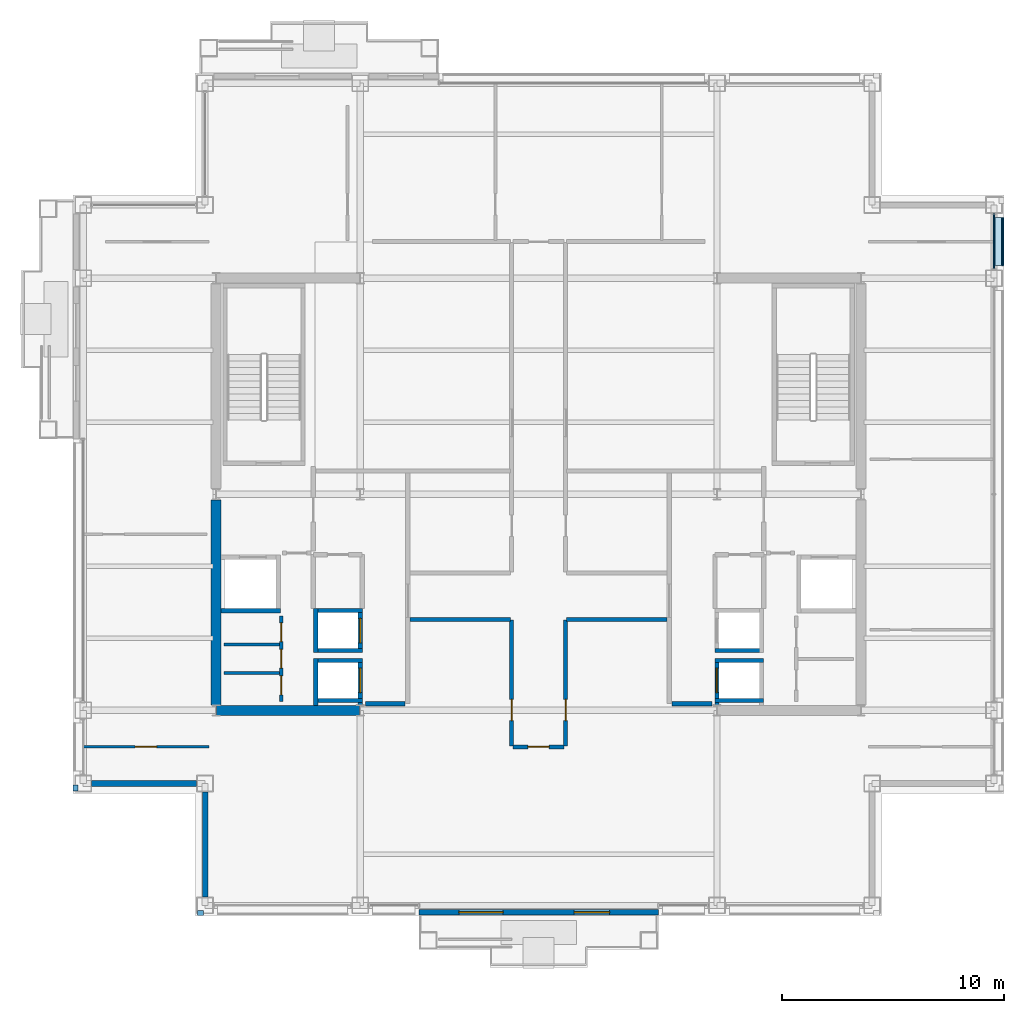
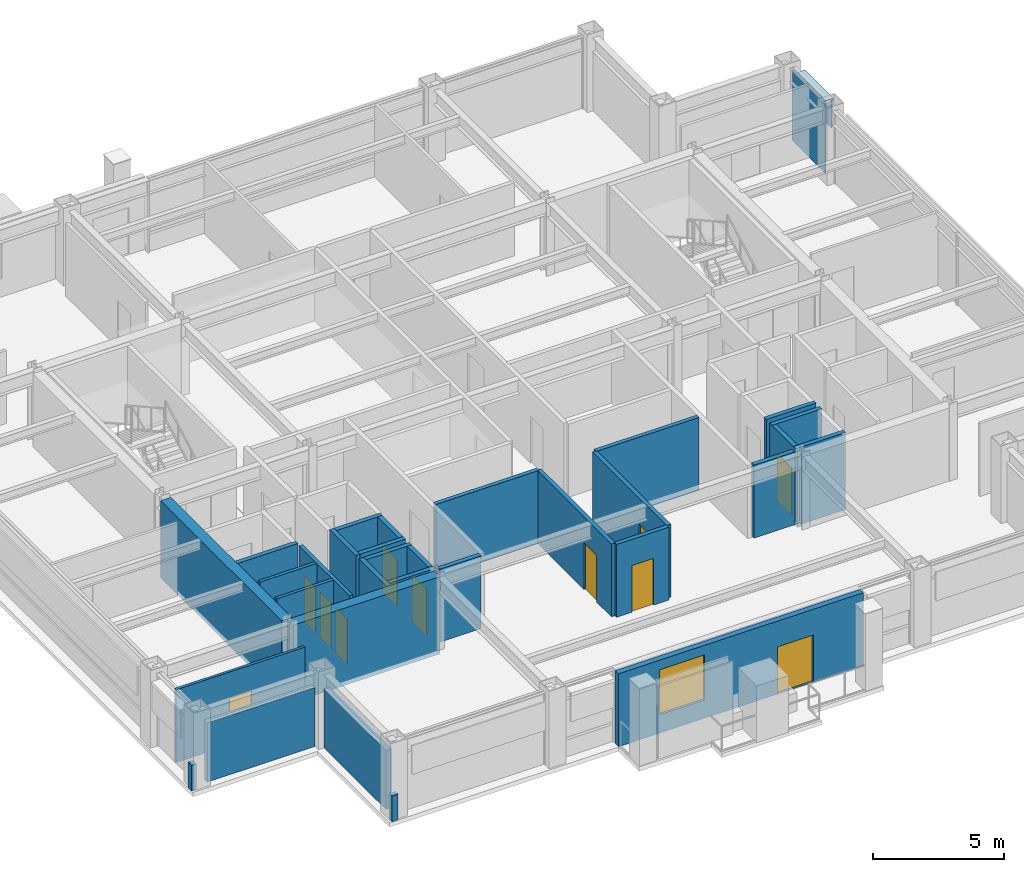
# One storey, part 24 of 30: 31 walls, 11 doors, 3 plates, 1 window, 12 openings, 1 element without a shape of its own.
"""IFC4 building model written with IfcOpenShell, lengths in metres."""

from ifc_helpers import new_model, si_unit, direction, frame, frame_2d, origin, origin_2d, place, context, subcontext, project, spatial, rectangle, extrude, material, layer, layer_set, type_object, element, fill, aggregate, save


model = new_model("IFC4")

# Units and contexts
model_context = context("Model", 3, precision=1e-05, world=origin(), true_north=direction((0.0, 1.0)))
body_context = subcontext(model_context, "Body", "Model", "MODEL_VIEW")
ifc_project = project(units=[si_unit("LENGTHUNIT", "METRE"), si_unit("AREAUNIT", "SQUARE_METRE"), si_unit("VOLUMEUNIT", "CUBIC_METRE"), si_unit("PLANEANGLEUNIT", "RADIAN"), si_unit("MASSUNIT", "GRAM", prefix="KILO")], contexts=[model_context])

# Site, building, storey
site_placement = place(None, origin())
site = spatial("IfcSite", under=ifc_project, at=site_placement, CompositionType="ELEMENT")
building_placement = place(site_placement, origin())
building = spatial("IfcBuilding", under=site, at=building_placement, Name="Brelmoor Portico Tower", CompositionType="ELEMENT")
storey_placement = place(building_placement, frame((0.0, 0.0, 169.5)))
storey = spatial("IfcBuildingStorey", under=building, at=storey_placement, Name="L44", CompositionType="ELEMENT", Elevation=169.5)

# Curtain wall, plate
ifc_material_1 = material(Name="Anodised Aluminium Alloy 6063-T6", Category="aluminium")
ifc_layer_1 = layer(ifc_material_1, 0.179931640625)
ifc_layer_set_1 = layer_set([ifc_layer_1], Name="Anodised Aluminium Alloy 6063-T6")
curtain_wall_type = type_object("IfcCurtainWallType", Name="CW-TOWER-Z3-XB", PredefinedType="NOTDEFINED", material=ifc_layer_set_1)
curtain_wall_placement = place(storey_placement, origin())
curtain_wall = element("IfcCurtainWall", 1, at=curtain_wall_placement, inside=storey, type_object=curtain_wall_type, Name="L44 Curtain Wall CW-L44-04-3", PredefinedType="NOTDEFINED")
ifc_material_2 = material(Name="Pale Champagne Anodised Aluminium Panel", Category="aluminium")
ifc_layer_2 = layer(ifc_material_2, 0.050048828125)
ifc_layer_set_2 = layer_set([ifc_layer_2], Name="Pale Champagne Anodised Aluminium Panel")
plate_type_1 = type_object("IfcPlateType", Name="PT-CW-SPANDREL", PredefinedType="SHEET", material=ifc_layer_set_2)
plate_1_placement = place(storey_placement, frame((20.550048828125, 11.39990234375, 0.0), z_axis=(0.0, 0.0, 1.0), x_axis=(0.0, 1.0, 0.0)))
plate_1 = element("IfcPlate", 2, at=plate_1_placement, type_object=plate_type_1, Name="CW-L44-04-3 Spandrel Panel 00", PredefinedType="SHEET", context=body_context, shape_type="SweptSolid", body=[
    extrude(rectangle(XDim=2.5, YDim=0.050048828125, at=origin_2d()), origin(), (0.0, 0.0, 1.0), 3.33740234375),
])
aggregate(curtain_wall, [plate_1])

# Plates
ifc_material_3 = material(Name="Powder-Coated Aluminium Shuttered Jalousie Louvre", Category="aluminium")
ifc_layer_3 = layer(ifc_material_3, 0.06005859375)
ifc_layer_set_3 = layer_set([ifc_layer_3], Name="Powder-Coated Aluminium Shuttered Jalousie Louvre")
plate_type_2 = type_object("IfcPlateType", Name="PT-JALOUSIE-SHUTTER", PredefinedType="SHEET", material=ifc_layer_set_3)
plate_2_placement = place(storey_placement, frame((20.929931640625, 11.39990234375, 1.8740234375), z_axis=(0.0, 0.0, 1.0), x_axis=(0.0, 1.0, 0.0)))
element("IfcPlate", 3, at=plate_2_placement, inside=storey, type_object=plate_type_2, Name="CW-L44-04-3 Perforated Jalousie Solar Screen", PredefinedType="SHEET", context=body_context, shape_type="SweptSolid", body=[
    extrude(rectangle(XDim=2.169921875, YDim=0.06494140625, at=origin_2d()), origin(), (0.0, 0.0, 1.0), 1.325927734375),
])
ifc_material_4 = material(Name="Pale Champagne Perforated Aluminium Solar Screen", Category="aluminium")
ifc_layer_4 = layer(ifc_material_4, 0.054931640625)
ifc_layer_set_4 = layer_set([ifc_layer_4], Name="Pale Champagne Perforated Aluminium Solar Screen")
plate_type_3 = type_object("IfcPlateType", Name="PT-SOLAR-LOUVRE", PredefinedType="SHEET", material=ifc_layer_set_4)
plate_3_placement = place(storey_placement, frame((20.760009765625, 11.39990234375, 3.08984375), z_axis=(0.0, 0.0, 1.0), x_axis=(0.0, 1.0, 0.0)))
element("IfcPlate", 4, at=plate_3_placement, inside=storey, type_object=plate_type_3, Name="CW-L44-04-3 Caribbean Brise-Soleil Solar Screen", PredefinedType="SHEET", context=body_context, shape_type="SweptSolid", body=[
    extrude(rectangle(XDim=2.169921875, YDim=0.4599609375, at=origin_2d()), origin(), (0.0, 0.0, 1.0), 0.139892578125),
])

# Walls
ifc_material_5 = material(Name="Concrete C50", Category="concrete")
ifc_layer_5 = layer(ifc_material_5, 0.449951171875)
ifc_layer_set_5 = layer_set([ifc_layer_5], Name="Concrete C50")
wall_type_1 = type_object("IfcWallType", Name="WL-CORE-450", PredefinedType="SHEAR", material=ifc_layer_set_5)
wall_1_placement = place(storey_placement, frame((-14.530029296875, -9.75, -0.199951171875), z_axis=(0.0, 0.0, 1.0), x_axis=(1.0, 0.0, 0.0)))
element("IfcWall", 5, at=wall_1_placement, inside=storey, type_object=wall_type_1, Name="L44 WC South Shear Wall", PredefinedType="SHEAR", context=body_context, shape_type="SweptSolid", body=[
    extrude(rectangle(XDim=6.4599609375, YDim=0.449951171875, at=frame_2d((3.22998046875, 0.0))), origin(), (0.0, 0.0, 1.0), 3.599853515625),
])
wall_2_placement = place(storey_placement, frame((-14.550048828125, -9.5, -0.199951171875), z_axis=(0.0, 0.0, 1.0), x_axis=(0.0, 1.0, 0.0)))
element("IfcWall", 6, at=wall_2_placement, inside=storey, type_object=wall_type_1, Name="L44 WC Outer South Shear Wall", PredefinedType="SHEAR", context=body_context, shape_type="SweptSolid", body=[
    extrude(rectangle(XDim=9.25, YDim=0.449951171875, at=frame_2d((4.625, 0.0))), origin(), (0.0, 0.0, 1.0), 3.599853515625),
])

# Wall, openings, door, window
ifc_material_6 = material(Name="Precast Concrete C40 Insulated Facade Wall", Category="concrete")
ifc_layer_6 = layer(ifc_material_6, 0.25)
ifc_layer_set_6 = layer_set([ifc_layer_6], Name="Precast Concrete C40 Insulated Facade Wall")
wall_type_2 = type_object("IfcWallType", Name="WL-EXT-250", PredefinedType="STANDARD", material=ifc_layer_set_6)
wall_3_placement = place(storey_placement, frame((-5.39990234375, -18.860107421875, 0.0), z_axis=(0.0, 0.0, 1.0), x_axis=(1.0, 0.0, 0.0)))
wall_3 = element("IfcWall", 7, at=wall_3_placement, inside=storey, type_object=wall_type_2, Name="L44 Loggia Threshold Wall S-1", PredefinedType="STANDARD", context=body_context, shape_type="SweptSolid", body=[
    extrude(rectangle(XDim=10.7998046875, YDim=0.25, at=frame_2d((5.39990234375, 0.0))), origin(), (0.0, 0.0, 1.0), 3.39990234375),
])
opening_1_placement = place(wall_3_placement, frame((7.0, 0.0, 0.0)))
opening_1 = element("IfcOpeningElement", 8, at=opening_1_placement, cuts=wall_3, Name="Opening D-TB1", PredefinedType="OPENING", context=body_context, shape_type="SweptSolid", body=[
    extrude(rectangle(XDim=1.60009765625, YDim=2.199951171875, at=frame_2d((0.800048828125, 1.10009765625))), frame((0.0, 0.135009765625, 0.0), z_axis=(0.0, -1.0, 0.0), x_axis=(1.0, 0.0, 0.0)), (0.0, 0.0, 1.0), 0.27001953125),
])
opening_2_placement = place(wall_3_placement, frame((1.800048828125, 0.0, 0.85009765625)))
opening_2 = element("IfcOpeningElement", 9, at=opening_2_placement, cuts=wall_3, Name="Opening W-03", PredefinedType="OPENING", context=body_context, shape_type="SweptSolid", body=[
    extrude(rectangle(XDim=2.0, YDim=2.10009765625, at=frame_2d((1.0, 1.050048828125))), frame((0.0, 0.135009765625, 0.0), z_axis=(0.0, -1.0, 0.0), x_axis=(1.0, 0.0, 0.0)), (0.0, 0.0, 1.0), 0.27001953125),
])
ifc_material_7 = material(Name="Double-Leaf Thermally Broken Terrace Door", Category="aluminium")
door_type_1 = type_object("IfcDoorType", Name="DR-BALCONY-1600", OperationType="NOTDEFINED", PredefinedType="DOOR", material=ifc_material_7)
door_1_placement = place(opening_1_placement, origin())
door_1 = element("IfcDoor", 10, at=door_1_placement, inside=storey, type_object=door_type_1, Name="D-1893 L44 Tree Balcony Double Door S", OperationType="DOUBLE_DOOR_SINGLE_SWING", OverallHeight=2.199951171875, OverallWidth=1.60009765625, PredefinedType="DOOR", context=body_context, shape_type="SweptSolid", body=[
    extrude(rectangle(XDim=1.60009765625, YDim=2.199951171875, at=frame_2d((0.800048828125, 1.10009765625))), frame((0.0, 0.02490234375, 0.0), z_axis=(0.0, -1.0, 0.0), x_axis=(1.0, 0.0, 0.0)), (0.0, 0.0, 1.0), 0.050048828125),
])
fill(opening_1, door_1)
ifc_material_8 = material(Name="Thermally Broken Aluminium Low-E Window", Category="aluminium")
window_type = type_object("IfcWindowType", Name="WN-LOGGIA-2000x2100", PartitioningType="SINGLE_PANEL", PredefinedType="WINDOW", material=ifc_material_8)
window_placement = place(opening_2_placement, origin())
window = element("IfcWindow", 11, at=window_placement, inside=storey, type_object=window_type, Name="L44 Loggia Window S", OverallHeight=2.10009765625, OverallWidth=2.0, PartitioningType="SINGLE_PANEL", PredefinedType="WINDOW", context=body_context, shape_type="SweptSolid", body=[
    extrude(rectangle(XDim=2.0, YDim=2.10009765625, at=frame_2d((1.0, 1.050048828125))), frame((0.0, 0.030029296875, 0.0), z_axis=(0.0, -1.0, 0.0), x_axis=(1.0, 0.0, 0.0)), (0.0, 0.0, 1.0), 0.06005859375),
])
fill(opening_2, window)

# Walls
for number, where, z_axis, x_axis, name in (
    (12, (-20.1650390625, -13.050048828125, 0.0), (0.0, 0.0, 1.0), (1.0, 0.0, 0.0), "L44 Corner Notch Facade Wall NSWH1"),
    (13, (-15.050048828125, -18.1650390625, 0.0), (0.0, 0.0, 1.0), (0.0, 1.0, 0.0), "L44 Corner Notch Facade Wall NSWV1"),
):
    element("IfcWall", number, at=place(storey_placement, frame(where, z_axis=z_axis, x_axis=x_axis)), inside=storey, type_object=wall_type_2, Name=name, PredefinedType="STANDARD", context=body_context, shape_type="SweptSolid", body=[
        extrude(rectangle(XDim=4.72998046875, YDim=0.25, at=frame_2d((2.364990234375, 0.0))), origin(), (0.0, 0.0, 1.0), 2.75),
    ])
ifc_material_9 = material(Name="Concrete C40 Parapet Upstand", Category="concrete")
ifc_layer_7 = layer(ifc_material_9, 0.219970703125)
ifc_layer_set_7 = layer_set([ifc_layer_7], Name="Concrete C40 Parapet Upstand")
wall_type_3 = type_object("IfcWallType", Name="WL-PARAPET-220", PredefinedType="PARAPET", material=ifc_layer_set_7)
for number, where, z_axis, x_axis, name in (
    (14, (-15.389892578125, -18.889892578125, 0.0), (0.0, 0.0, 1.0), (1.0, 0.0, 0.0), "L44 Chamfer Vertex Parapet Pier SW1"),
    (15, (-20.889892578125, -13.389892578125, 0.0), (0.0, 0.0, 1.0), (0.0, 1.0, 0.0), "L44 Chamfer Vertex Parapet Pier SW2"),
):
    element("IfcWall", number, at=place(storey_placement, frame(where, z_axis=z_axis, x_axis=x_axis)), inside=storey, type_object=wall_type_3, Name=name, PredefinedType="PARAPET", context=body_context, shape_type="SweptSolid", body=[
        extrude(rectangle(XDim=0.269775390625, YDim=0.219970703125, at=frame_2d((0.134765625, 0.0))), origin(), (0.0, 0.0, 1.0), 1.199951171875),
    ])

# Wall, opening, door
ifc_material_10 = material(Name="Lightweight Gypsum Office Partition", Category="gypsum")
ifc_layer_8 = layer(ifc_material_10, 0.1201171875)
ifc_layer_set_8 = layer_set([ifc_layer_8], Name="Lightweight Gypsum Office Partition")
wall_type_4 = type_object("IfcWallType", Name="WL-PART-120", PredefinedType="PARTITIONING", material=ifc_layer_set_8)
wall_4_placement = place(storey_placement, frame((-20.56005859375, -11.39990234375, 0.0), z_axis=(0.0, 0.0, 1.0), x_axis=(1.0, 0.0, 0.0)))
wall_4 = element("IfcWall", 16, at=wall_4_placement, inside=storey, type_object=wall_type_4, Name="L44 South Wing Closure WL", PredefinedType="PARTITIONING", context=body_context, shape_type="SweptSolid", body=[
    extrude(rectangle(XDim=5.68017578125, YDim=0.1201171875, at=frame_2d((2.840087890625, 0.0))), origin(), (0.0, 0.0, 1.0), 3.39990234375),
])
opening_3_placement = place(wall_4_placement, frame((2.360107421875, 0.0, 0.0)))
opening_3 = element("IfcOpeningElement", 17, at=opening_3_placement, cuts=wall_4, Name="Opening D-IN2", PredefinedType="OPENING", context=body_context, shape_type="SweptSolid", body=[
    extrude(rectangle(XDim=0.9599609375, YDim=2.179931640625, at=frame_2d((0.47998046875, 1.08984375))), frame((0.0, 0.070068359375, 0.0), z_axis=(0.0, -1.0, 0.0), x_axis=(1.0, 0.0, 0.0)), (0.0, 0.0, 1.0), 0.14013671875),
])
ifc_material_11 = material(Name="Lacquered Timber Suite Door", Category="wood")
door_type_2 = type_object("IfcDoorType", Name="DR-INT-950", OperationType="NOTDEFINED", PredefinedType="DOOR", material=ifc_material_11)
door_2_placement = place(opening_3_placement, origin())
door_2 = element("IfcDoor", 18, at=door_2_placement, inside=storey, type_object=door_type_2, Name="D-1891 L44 WL Wing South Suite Door", OperationType="SINGLE_SWING_RIGHT", OverallHeight=2.179931640625, OverallWidth=0.9599609375, PredefinedType="DOOR", context=body_context, shape_type="SweptSolid", body=[
    extrude(rectangle(XDim=0.9599609375, YDim=2.179931640625, at=frame_2d((0.47998046875, 1.08984375))), frame((0.0, 0.02490234375, 0.0), z_axis=(0.0, -1.0, 0.0), x_axis=(1.0, 0.0, 0.0)), (0.0, 0.0, 1.0), 0.050048828125),
])
fill(opening_3, door_2)

# Walls
ifc_material_12 = material(Name="Insulated Stud Suite Partition", Category="gypsum")
ifc_layer_9 = layer(ifc_material_12, 0.139892578125)
ifc_layer_set_9 = layer_set([ifc_layer_9], Name="Insulated Stud Suite Partition")
wall_type_5 = type_object("IfcWallType", Name="WL-PART-140", PredefinedType="PARTITIONING", material=ifc_layer_set_9)
for number, where, z_axis, x_axis, name in (
    (19, (-11.699951171875, -8.066650390625, 0.0), (0.0, 0.0, 1.0), (-1.0, 0.0, 0.0), "L44 W Core WC Divider 1"),
    (20, (-11.699951171875, -6.783203125, 0.0), (0.0, 0.0, 1.0), (-1.0, 0.0, 0.0), "L44 W Core WC Divider 2"),
):
    element("IfcWall", number, at=place(storey_placement, frame(where, z_axis=z_axis, x_axis=x_axis)), inside=storey, type_object=wall_type_5, Name=name, PredefinedType="PARTITIONING", context=body_context, shape_type="SweptSolid", body=[
        extrude(rectangle(XDim=2.5, YDim=0.139892578125, at=frame_2d((1.25, 0.0))), origin(), (0.0, 0.0, 1.0), 3.39990234375),
    ])

# Wall, openings, doors
ifc_material_13 = material(Name="Twin-Frame Acoustic Partition", Category="gypsum")
ifc_layer_10 = layer(ifc_material_13, 0.159912109375)
ifc_layer_set_10 = layer_set([ifc_layer_10], Name="Twin-Frame Acoustic Partition")
wall_type_6 = type_object("IfcWallType", Name="WL-PART-160", PredefinedType="PARTITIONING", material=ifc_layer_set_10)
wall_5_placement = place(storey_placement, frame((-11.6201171875, -9.35009765625, 0.0), z_axis=(0.0, 0.0, 1.0), x_axis=(0.0, 1.0, 0.0)))
wall_5 = element("IfcWall", 21, at=wall_5_placement, inside=storey, type_object=wall_type_6, Name="L44 W Core Service Front Wall", PredefinedType="PARTITIONING", context=body_context, shape_type="SweptSolid", body=[
    extrude(rectangle(XDim=3.85009765625, YDim=0.159912109375, at=frame_2d((1.925048828125, 0.0))), origin(), (0.0, 0.0, 1.0), 3.39990234375),
])
opening_4_placement = place(wall_5_placement, frame((0.300048828125, 0.0, 0.0)))
opening_4 = element("IfcOpeningElement", 22, at=opening_4_placement, cuts=wall_5, Name="Opening D-WC1", PredefinedType="OPENING", context=body_context, shape_type="SweptSolid", body=[
    extrude(rectangle(XDim=0.85009765625, YDim=2.1201171875, at=frame_2d((0.425048828125, 1.06005859375))), frame((0.0, 0.08984375, 0.0), z_axis=(0.0, -1.0, 0.0), x_axis=(1.0, 0.0, 0.0)), (0.0, 0.0, 1.0), 0.179931640625),
])
opening_5_placement = place(wall_5_placement, frame((1.5, 0.0, 0.0)))
opening_5 = element("IfcOpeningElement", 23, at=opening_5_placement, cuts=wall_5, Name="Opening D-WC1", PredefinedType="OPENING", context=body_context, shape_type="SweptSolid", body=[
    extrude(rectangle(XDim=0.85009765625, YDim=2.1201171875, at=frame_2d((0.425048828125, 1.06005859375))), frame((0.0, 0.08984375, 0.0), z_axis=(0.0, -1.0, 0.0), x_axis=(1.0, 0.0, 0.0)), (0.0, 0.0, 1.0), 0.179931640625),
])
opening_6_placement = place(wall_5_placement, frame((2.699951171875, 0.0, 0.0)))
opening_6 = element("IfcOpeningElement", 24, at=opening_6_placement, cuts=wall_5, Name="Opening D-WC1", PredefinedType="OPENING", context=body_context, shape_type="SweptSolid", body=[
    extrude(rectangle(XDim=0.85009765625, YDim=2.1201171875, at=frame_2d((0.425048828125, 1.06005859375))), frame((0.0, 0.08984375, 0.0), z_axis=(0.0, -1.0, 0.0), x_axis=(1.0, 0.0, 0.0)), (0.0, 0.0, 1.0), 0.179931640625),
])
ifc_material_14 = material(Name="Moisture-Resistant Laminate WC Door", Category="timber")
door_type_3 = type_object("IfcDoorType", Name="DR-WC-850", OperationType="NOTDEFINED", PredefinedType="DOOR", material=ifc_material_14)
door_3_placement = place(opening_4_placement, origin())
door_3 = element("IfcDoor", 25, at=door_3_placement, inside=storey, type_object=door_type_3, Name="D-1872 L44 W Accessible WC Door", OperationType="SINGLE_SWING_LEFT", OverallHeight=2.1201171875, OverallWidth=0.85009765625, PredefinedType="DOOR", context=body_context, shape_type="SweptSolid", body=[
    extrude(rectangle(XDim=0.85009765625, YDim=2.1201171875, at=frame_2d((0.425048828125, 1.06005859375))), frame((0.0, 0.02490234375, 0.0), z_axis=(0.0, -1.0, 0.0), x_axis=(1.0, 0.0, 0.0)), (0.0, 0.0, 1.0), 0.050048828125),
])
fill(opening_4, door_3)
door_4_placement = place(opening_5_placement, origin())
door_4 = element("IfcDoor", 26, at=door_4_placement, inside=storey, type_object=door_type_3, Name="D-1873 L44 W Staff WC Door", OperationType="SINGLE_SWING_RIGHT", OverallHeight=2.1201171875, OverallWidth=0.85009765625, PredefinedType="DOOR", context=body_context, shape_type="SweptSolid", body=[
    extrude(rectangle(XDim=0.85009765625, YDim=2.1201171875, at=frame_2d((0.425048828125, 1.06005859375))), frame((0.0, 0.02490234375, 0.0), z_axis=(0.0, -1.0, 0.0), x_axis=(1.0, 0.0, 0.0)), (0.0, 0.0, 1.0), 0.050048828125),
])
fill(opening_5, door_4)
door_5_placement = place(opening_6_placement, origin())
door_5 = element("IfcDoor", 27, at=door_5_placement, inside=storey, type_object=door_type_3, Name="D-1874 L44 W Cleaner Store Door", OperationType="SINGLE_SWING_LEFT", OverallHeight=2.1201171875, OverallWidth=0.85009765625, PredefinedType="DOOR", context=body_context, shape_type="SweptSolid", body=[
    extrude(rectangle(XDim=0.85009765625, YDim=2.1201171875, at=frame_2d((0.425048828125, 1.06005859375))), frame((0.0, 0.02490234375, 0.0), z_axis=(0.0, -1.0, 0.0), x_axis=(1.0, 0.0, 0.0)), (0.0, 0.0, 1.0), 0.050048828125),
])
fill(opening_6, door_5)

# Wall, opening, door
ifc_material_15 = material(Name="Acoustic Corridor Fire Partition", Category="gypsum")
ifc_layer_11 = layer(ifc_material_15, 0.179931640625)
ifc_layer_set_11 = layer_set([ifc_layer_11], Name="Acoustic Corridor Fire Partition")
wall_type_7 = type_object("IfcWallType", Name="WL-PART-180", PredefinedType="PARTITIONING", material=ifc_layer_set_11)
wall_6_placement = place(storey_placement, frame((-1.219970703125, -11.360107421875, 0.0), z_axis=(0.0, 0.0, 1.0), x_axis=(0.0, 1.0, 0.0)))
wall_6 = element("IfcWall", 28, at=wall_6_placement, inside=storey, type_object=wall_type_7, Name="L44 South Cross West Wall", PredefinedType="PARTITIONING", context=body_context, shape_type="SweptSolid", body=[
    extrude(rectangle(XDim=5.68017578125, YDim=0.179931640625, at=frame_2d((2.840087890625, 0.0))), origin(), (0.0, 0.0, 1.0), 3.39990234375),
])
opening_7_placement = place(wall_6_placement, frame((1.14990234375, 0.0, 0.0)))
opening_7 = element("IfcOpeningElement", 29, at=opening_7_placement, cuts=wall_6, Name="Opening D-IN2", PredefinedType="OPENING", context=body_context, shape_type="SweptSolid", body=[
    extrude(rectangle(XDim=0.9599609375, YDim=2.179931640625, at=frame_2d((0.47998046875, 1.08984375))), frame((0.0, 0.099853515625, 0.0), z_axis=(0.0, -1.0, 0.0), x_axis=(1.0, 0.0, 0.0)), (0.0, 0.0, 1.0), 0.199951171875),
])
door_6_placement = place(opening_7_placement, origin())
door_6 = element("IfcDoor", 30, at=door_6_placement, inside=storey, type_object=door_type_2, Name="D-1865 L44 South-West Archive Room Door", OperationType="SINGLE_SWING_LEFT", OverallHeight=2.179931640625, OverallWidth=0.9599609375, PredefinedType="DOOR", context=body_context, shape_type="SweptSolid", body=[
    extrude(rectangle(XDim=0.9599609375, YDim=2.179931640625, at=frame_2d((0.47998046875, 1.08984375))), frame((0.0, 0.02490234375, 0.0), z_axis=(0.0, -1.0, 0.0), x_axis=(1.0, 0.0, 0.0)), (0.0, 0.0, 1.0), 0.050048828125),
])
fill(opening_7, door_6)

wall_7_placement = place(storey_placement, frame((1.219970703125, -11.360107421875, 0.0), z_axis=(0.0, 0.0, 1.0), x_axis=(0.0, 1.0, 0.0)))
wall_7 = element("IfcWall", 31, at=wall_7_placement, inside=storey, type_object=wall_type_7, Name="L44 South Cross East Wall", PredefinedType="PARTITIONING", context=body_context, shape_type="SweptSolid", body=[
    extrude(rectangle(XDim=5.68017578125, YDim=0.179931640625, at=frame_2d((2.840087890625, 0.0))), origin(), (0.0, 0.0, 1.0), 3.39990234375),
])
opening_8_placement = place(wall_7_placement, frame((1.14990234375, 0.0, 0.0)))
opening_8 = element("IfcOpeningElement", 32, at=opening_8_placement, cuts=wall_7, Name="Opening D-IN2", PredefinedType="OPENING", context=body_context, shape_type="SweptSolid", body=[
    extrude(rectangle(XDim=0.9599609375, YDim=2.179931640625, at=frame_2d((0.47998046875, 1.08984375))), frame((0.0, 0.099853515625, 0.0), z_axis=(0.0, -1.0, 0.0), x_axis=(1.0, 0.0, 0.0)), (0.0, 0.0, 1.0), 0.199951171875),
])
door_7_placement = place(opening_8_placement, origin())
door_7 = element("IfcDoor", 33, at=door_7_placement, inside=storey, type_object=door_type_2, Name="D-1864 L44 South-East Partner Office Door", OperationType="SINGLE_SWING_RIGHT", OverallHeight=2.179931640625, OverallWidth=0.9599609375, PredefinedType="DOOR", context=body_context, shape_type="SweptSolid", body=[
    extrude(rectangle(XDim=0.9599609375, YDim=2.179931640625, at=frame_2d((0.47998046875, 1.08984375))), frame((0.0, 0.02490234375, 0.0), z_axis=(0.0, -1.0, 0.0), x_axis=(1.0, 0.0, 0.0)), (0.0, 0.0, 1.0), 0.050048828125),
])
fill(opening_8, door_7)

# Walls
for number, where, z_axis, x_axis, name in (
    (34, (-5.800048828125, -5.64990234375, 0.0), (0.0, 0.0, 1.0), (1.0, 0.0, 0.0), "L44 South-West Chamber Top Wall"),
    (35, (1.260009765625, -5.64990234375, 0.0), (0.0, 0.0, 1.0), (1.0, 0.0, 0.0), "L44 South-East Chamber Top Wall"),
):
    element("IfcWall", number, at=place(storey_placement, frame(where, z_axis=z_axis, x_axis=x_axis)), inside=storey, type_object=wall_type_7, Name=name, PredefinedType="PARTITIONING", context=body_context, shape_type="SweptSolid", body=[
        extrude(rectangle(XDim=4.5400390625, YDim=0.179931640625, at=frame_2d((2.27001953125, 0.0))), origin(), (0.0, 0.0, 1.0), 3.39990234375),
    ])

# Wall, opening, door
wall_8_placement = place(storey_placement, frame((-1.14990234375, -11.39990234375, 0.0), z_axis=(0.0, 0.0, 1.0), x_axis=(1.0, 0.0, 0.0)))
wall_8 = element("IfcWall", 36, at=wall_8_placement, inside=storey, type_object=wall_type_7, Name="L44 South Corridor Partition", PredefinedType="PARTITIONING", context=body_context, shape_type="SweptSolid", body=[
    extrude(rectangle(XDim=2.2998046875, YDim=0.179931640625, at=frame_2d((1.14990234375, 0.0))), origin(), (0.0, 0.0, 1.0), 3.39990234375),
])
opening_9_placement = place(wall_8_placement, frame((0.669921875, 0.0, 0.0)))
opening_9 = element("IfcOpeningElement", 37, at=opening_9_placement, cuts=wall_8, Name="Opening D-IN2", PredefinedType="OPENING", context=body_context, shape_type="SweptSolid", body=[
    extrude(rectangle(XDim=0.9599609375, YDim=2.179931640625, at=frame_2d((0.47998046875, 1.08984375))), frame((0.0, 0.099853515625, 0.0), z_axis=(0.0, -1.0, 0.0), x_axis=(1.0, 0.0, 0.0)), (0.0, 0.0, 1.0), 0.199951171875),
])
door_8_placement = place(opening_9_placement, origin())
door_8 = element("IfcDoor", 38, at=door_8_placement, inside=storey, type_object=door_type_2, Name="D-1887 L44 South Design Workshop 1 Door", OperationType="SINGLE_SWING_LEFT", OverallHeight=2.179931640625, OverallWidth=0.9599609375, PredefinedType="DOOR", context=body_context, shape_type="SweptSolid", body=[
    extrude(rectangle(XDim=0.9599609375, YDim=2.179931640625, at=frame_2d((0.47998046875, 1.08984375))), frame((0.0, 0.02490234375, 0.0), z_axis=(0.0, -1.0, 0.0), x_axis=(1.0, 0.0, 0.0)), (0.0, 0.0, 1.0), 0.050048828125),
])
fill(opening_9, door_8)

# Walls
ifc_material_16 = material(Name="Double-Stud Gypsum Fire Partition", Category="gypsum")
ifc_layer_12 = layer(ifc_material_16, 0.199951171875)
ifc_layer_set_12 = layer_set([ifc_layer_12], Name="Double-Stud Gypsum Fire Partition")
wall_type_8 = type_object("IfcWallType", Name="WL-PART-200", PredefinedType="PARTITIONING", material=ifc_layer_set_12)
for number, where, z_axis, x_axis, name in (
    (39, (-6.02001953125, -9.449951171875, 0.0), (0.0, 0.0, 1.0), (-1.0, 0.0, 0.0), "L44 W Lift Lobby South End Wall"),
    (40, (6.02001953125, -9.449951171875, 0.0), (0.0, 0.0, 1.0), (1.0, 0.0, 0.0), "L44 E Lift Lobby South End Wall"),
):
    element("IfcWall", number, at=place(storey_placement, frame(where, z_axis=z_axis, x_axis=x_axis)), inside=storey, type_object=wall_type_8, Name=name, PredefinedType="PARTITIONING", context=body_context, shape_type="SweptSolid", body=[
        extrude(rectangle(XDim=1.800048828125, YDim=0.199951171875, at=frame_2d((0.89990234375, 0.0))), origin(), (0.0, 0.0, 1.0), 3.39990234375),
    ])

# Wall, opening, door
ifc_material_17 = material(Name="Precast Concrete C40", Category="concrete")
ifc_layer_13 = layer(ifc_material_17, 0.18994140625)
ifc_layer_set_13 = layer_set([ifc_layer_13], Name="Precast Concrete C40")
wall_type_9 = type_object("IfcWallType", Name="WL-SHAFT-180", PredefinedType="SOLIDWALL", material=ifc_layer_set_13)
wall_9_placement = place(storey_placement, frame((-8.044921875, -9.52001953125, -0.199951171875), z_axis=(0.0, 0.0, 1.0), x_axis=(0.0, 1.0, 0.0)))
wall_9 = element("IfcWall", 41, at=wall_9_placement, inside=storey, type_object=wall_type_9, Name="L44 Lift PH1 Hoistway Front Wall", PredefinedType="SOLIDWALL", context=body_context, shape_type="SweptSolid", body=[
    extrude(rectangle(XDim=2.1201171875, YDim=0.18994140625, at=frame_2d((1.06005859375, 0.0))), origin(), (0.0, 0.0, 1.0), 3.599853515625),
])
opening_10_placement = place(wall_9_placement, frame((0.570068359375, 0.0, 0.199951171875)))
opening_10 = element("IfcOpeningElement", 42, at=opening_10_placement, cuts=wall_9, Name="Opening LD-01", PredefinedType="OPENING", context=body_context, shape_type="SweptSolid", body=[
    extrude(rectangle(XDim=1.10009765625, YDim=2.199951171875, at=frame_2d((0.550048828125, 1.10009765625))), frame((0.0, 0.10498046875, 0.0), z_axis=(0.0, -1.0, 0.0), x_axis=(1.0, 0.0, 0.0)), (0.0, 0.0, 1.0), 0.2099609375),
])
ifc_material_18 = material(Name="Brushed Stainless Steel Sliding Lift Door", Category="steel")
door_type_4 = type_object("IfcDoorType", Name="DR-LIFT-1100", OperationType="NOTDEFINED", PredefinedType="DOOR", material=ifc_material_18)
door_9_placement = place(opening_10_placement, origin())
door_9 = element("IfcDoor", 43, at=door_9_placement, inside=storey, type_object=door_type_4, Name="D-1900 L44 Lift PH1 Sliding Landing Door", OperationType="SLIDING_TO_LEFT", OverallHeight=2.199951171875, OverallWidth=1.10009765625, PredefinedType="DOOR", context=body_context, shape_type="SweptSolid", body=[
    extrude(rectangle(XDim=1.10009765625, YDim=2.199951171875, at=frame_2d((0.550048828125, 1.10009765625))), frame((0.0, 0.02490234375, 0.0), z_axis=(0.0, -1.0, 0.0), x_axis=(1.0, 0.0, 0.0)), (0.0, 0.0, 1.0), 0.050048828125),
])
fill(opening_10, door_9)

# Walls
wall_10_placement = place(storey_placement, frame((-10.054931640625, -9.52001953125, -0.199951171875), z_axis=(0.0, 0.0, 1.0), x_axis=(0.0, 1.0, 0.0)))
element("IfcWall", 44, at=wall_10_placement, inside=storey, type_object=wall_type_9, Name="L44 Lift PH1 Hoistway Back Wall", PredefinedType="SOLIDWALL", context=body_context, shape_type="SweptSolid", body=[
    extrude(rectangle(XDim=2.1201171875, YDim=0.18994140625, at=frame_2d((1.06005859375, 0.0))), origin(), (0.0, 0.0, 1.0), 3.599853515625),
])
for number, where, z_axis, x_axis, name in (
    (45, (-10.14990234375, -7.4951171875, -0.199951171875), (0.0, 0.0, 1.0), (1.0, 0.0, 0.0), "L44 Lift PH1 Hoistway North Wall"),
    (46, (-10.14990234375, -9.304931640625, -0.199951171875), (0.0, 0.0, 1.0), (1.0, 0.0, 0.0), "L44 Lift PH1 Hoistway South Wall"),
):
    element("IfcWall", number, at=place(storey_placement, frame(where, z_axis=z_axis, x_axis=x_axis)), inside=storey, type_object=wall_type_9, Name=name, PredefinedType="SOLIDWALL", context=body_context, shape_type="SweptSolid", body=[
        extrude(rectangle(XDim=2.199951171875, YDim=0.18994140625, at=frame_2d((1.10009765625, 0.0))), origin(), (0.0, 0.0, 1.0), 3.599853515625),
    ])

# Wall, opening, door
wall_11_placement = place(storey_placement, frame((-8.044921875, -7.14990234375, -0.199951171875), z_axis=(0.0, 0.0, 1.0), x_axis=(0.0, 1.0, 0.0)))
wall_11 = element("IfcWall", 47, at=wall_11_placement, inside=storey, type_object=wall_type_9, Name="L44 Lift PH2 Hoistway Front Wall", PredefinedType="SOLIDWALL", context=body_context, shape_type="SweptSolid", body=[
    extrude(rectangle(XDim=2.0, YDim=0.18994140625, at=frame_2d((1.0, 0.0))), origin(), (0.0, 0.0, 1.0), 3.599853515625),
])
opening_11_placement = place(wall_11_placement, frame((0.449951171875, 0.0, 0.199951171875)))
opening_11 = element("IfcOpeningElement", 48, at=opening_11_placement, cuts=wall_11, Name="Opening LD-01", PredefinedType="OPENING", context=body_context, shape_type="SweptSolid", body=[
    extrude(rectangle(XDim=1.10009765625, YDim=2.199951171875, at=frame_2d((0.550048828125, 1.10009765625))), frame((0.0, 0.10498046875, 0.0), z_axis=(0.0, -1.0, 0.0), x_axis=(1.0, 0.0, 0.0)), (0.0, 0.0, 1.0), 0.2099609375),
])
door_10_placement = place(opening_11_placement, origin())
door_10 = element("IfcDoor", 49, at=door_10_placement, inside=storey, type_object=door_type_4, Name="D-1901 L44 Lift PH2 Sliding Landing Door", OperationType="SLIDING_TO_LEFT", OverallHeight=2.199951171875, OverallWidth=1.10009765625, PredefinedType="DOOR", context=body_context, shape_type="SweptSolid", body=[
    extrude(rectangle(XDim=1.10009765625, YDim=2.199951171875, at=frame_2d((0.550048828125, 1.10009765625))), frame((0.0, 0.02490234375, 0.0), z_axis=(0.0, -1.0, 0.0), x_axis=(1.0, 0.0, 0.0)), (0.0, 0.0, 1.0), 0.050048828125),
])
fill(opening_11, door_10)

# Walls
wall_12_placement = place(storey_placement, frame((-10.054931640625, -7.14990234375, -0.199951171875), z_axis=(0.0, 0.0, 1.0), x_axis=(0.0, 1.0, 0.0)))
element("IfcWall", 50, at=wall_12_placement, inside=storey, type_object=wall_type_9, Name="L44 Lift PH2 Hoistway Back Wall", PredefinedType="SOLIDWALL", context=body_context, shape_type="SweptSolid", body=[
    extrude(rectangle(XDim=2.0, YDim=0.18994140625, at=frame_2d((1.0, 0.0))), origin(), (0.0, 0.0, 1.0), 3.599853515625),
])
for number, where, z_axis, x_axis, name in (
    (51, (-10.14990234375, -5.2451171875, -0.199951171875), (0.0, 0.0, 1.0), (1.0, 0.0, 0.0), "L44 Lift PH2 Hoistway North Wall"),
    (52, (-10.14990234375, -7.054931640625, -0.199951171875), (0.0, 0.0, 1.0), (1.0, 0.0, 0.0), "L44 Lift PH2 Hoistway South Wall"),
):
    element("IfcWall", number, at=place(storey_placement, frame(where, z_axis=z_axis, x_axis=x_axis)), inside=storey, type_object=wall_type_9, Name=name, PredefinedType="SOLIDWALL", context=body_context, shape_type="SweptSolid", body=[
        extrude(rectangle(XDim=2.199951171875, YDim=0.18994140625, at=frame_2d((1.10009765625, 0.0))), origin(), (0.0, 0.0, 1.0), 3.599853515625),
    ])

# Wall, opening, door
wall_13_placement = place(storey_placement, frame((8.044921875, -9.52001953125, -0.199951171875), z_axis=(0.0, 0.0, 1.0), x_axis=(0.0, 1.0, 0.0)))
wall_13 = element("IfcWall", 53, at=wall_13_placement, inside=storey, type_object=wall_type_9, Name="L44 Lift PH3 Hoistway Front Wall", PredefinedType="SOLIDWALL", context=body_context, shape_type="SweptSolid", body=[
    extrude(rectangle(XDim=2.1201171875, YDim=0.18994140625, at=frame_2d((1.06005859375, 0.0))), origin(), (0.0, 0.0, 1.0), 3.599853515625),
])
opening_12_placement = place(wall_13_placement, frame((0.570068359375, 0.0, 0.199951171875)))
opening_12 = element("IfcOpeningElement", 54, at=opening_12_placement, cuts=wall_13, Name="Opening LD-01", PredefinedType="OPENING", context=body_context, shape_type="SweptSolid", body=[
    extrude(rectangle(XDim=1.10009765625, YDim=2.199951171875, at=frame_2d((0.550048828125, 1.10009765625))), frame((0.0, 0.10498046875, 0.0), z_axis=(0.0, -1.0, 0.0), x_axis=(1.0, 0.0, 0.0)), (0.0, 0.0, 1.0), 0.2099609375),
])
door_11_placement = place(opening_12_placement, origin())
door_11 = element("IfcDoor", 55, at=door_11_placement, inside=storey, type_object=door_type_4, Name="D-1902 L44 Lift PH3 Sliding Landing Door", OperationType="SLIDING_TO_LEFT", OverallHeight=2.199951171875, OverallWidth=1.10009765625, PredefinedType="DOOR", context=body_context, shape_type="SweptSolid", body=[
    extrude(rectangle(XDim=1.10009765625, YDim=2.199951171875, at=frame_2d((0.550048828125, 1.10009765625))), frame((0.0, 0.02490234375, 0.0), z_axis=(0.0, -1.0, 0.0), x_axis=(1.0, 0.0, 0.0)), (0.0, 0.0, 1.0), 0.050048828125),
])
fill(opening_12, door_11)

# Walls
for number, where, z_axis, x_axis, name in (
    (56, (7.949951171875, -7.4951171875, -0.199951171875), (0.0, 0.0, 1.0), (1.0, 0.0, 0.0), "L44 Lift PH3 Hoistway North Wall"),
    (57, (7.949951171875, -9.304931640625, -0.199951171875), (0.0, 0.0, 1.0), (1.0, 0.0, 0.0), "L44 Lift PH3 Hoistway South Wall"),
    (58, (7.949951171875, -7.054931640625, -0.199951171875), (0.0, 0.0, 1.0), (1.0, 0.0, 0.0), "L44 Lift PH4 Hoistway South Wall"),
):
    element("IfcWall", number, at=place(storey_placement, frame(where, z_axis=z_axis, x_axis=x_axis)), inside=storey, type_object=wall_type_9, Name=name, PredefinedType="SOLIDWALL", context=body_context, shape_type="SweptSolid", body=[
        extrude(rectangle(XDim=2.199951171875, YDim=0.18994140625, at=frame_2d((1.10009765625, 0.0))), origin(), (0.0, 0.0, 1.0), 3.599853515625),
    ])
wall_14_placement = place(storey_placement, frame((-14.330078125, -5.2548828125, -0.199951171875), z_axis=(0.0, 0.0, 1.0), x_axis=(1.0, 0.0, 0.0)))
element("IfcWall", 59, at=wall_14_placement, inside=storey, type_object=wall_type_9, Name="L44 Firefighting Lift FF1 South Wall", PredefinedType="SOLIDWALL", context=body_context, shape_type="SweptSolid", body=[
    extrude(rectangle(XDim=2.68017578125, YDim=0.18994140625, at=frame_2d((1.340087890625, 0.0))), origin(), (0.0, 0.0, 1.0), 3.599853515625),
])

save(model, "model.ifc")
